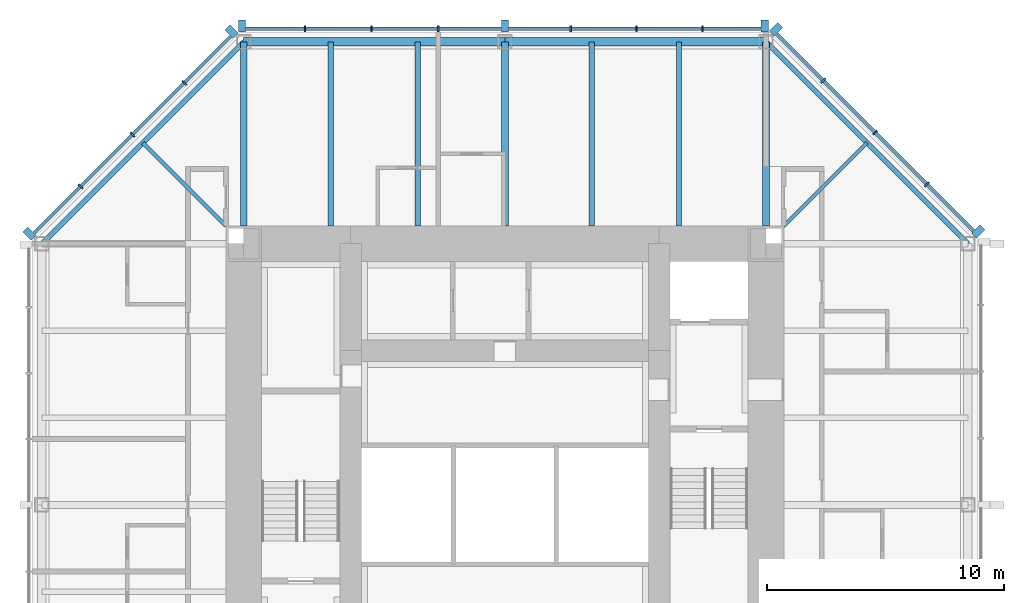
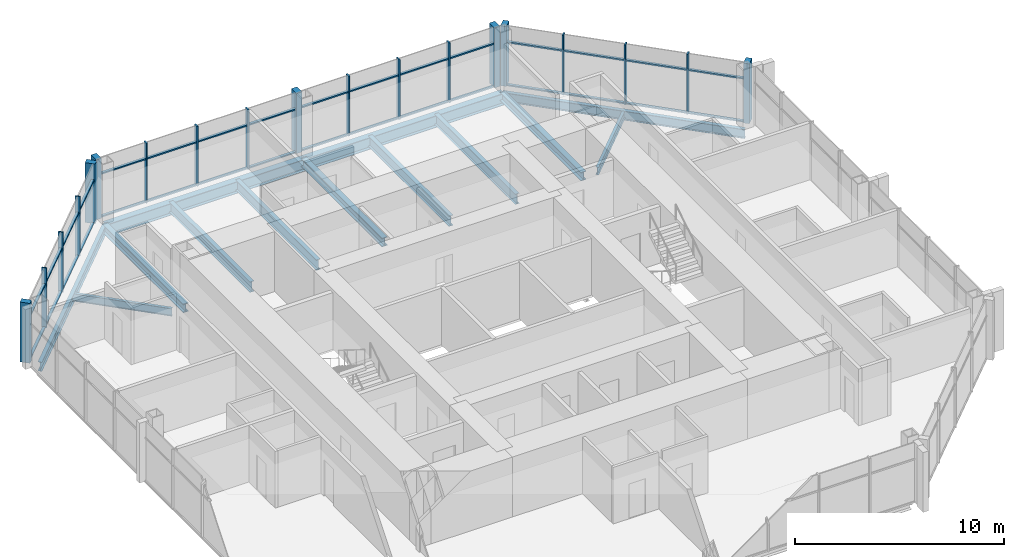
# One storey, part 5 of 11: 51 members, 13 beams, 3 elements without a shape of their own.
"""IFC4 building model written with IfcOpenShell, lengths in metres."""

from ifc_helpers import new_model, si_unit, direction, frame, origin, origin_2d, place, context, subcontext, project, spatial, rectangle, i_section, extrude, material, material_profile, profile_set, type_object, element, aggregate, save


model = new_model("IFC4")

# Units and contexts
model_context = context("Model", 3, precision=1e-05, world=origin(), true_north=direction((0.0, 1.0)))
body_context = subcontext(model_context, "Body", "Model", "MODEL_VIEW")
ifc_project = project(units=[si_unit("LENGTHUNIT", "METRE"), si_unit("AREAUNIT", "SQUARE_METRE"), si_unit("VOLUMEUNIT", "CUBIC_METRE"), si_unit("PLANEANGLEUNIT", "RADIAN"), si_unit("MASSUNIT", "GRAM", prefix="KILO")], contexts=[model_context])

# Site, building, storey
site_placement = place(None, origin())
site = spatial("IfcSite", under=ifc_project, at=site_placement, CompositionType="ELEMENT")
building_placement = place(site_placement, origin())
building = spatial("IfcBuilding", under=site, at=building_placement, Name="Trevanion Tower", CompositionType="ELEMENT")
storey_placement = place(building_placement, frame((0.0, 0.0, 236.199951171875)))
storey = spatial("IfcBuildingStorey", under=building, at=storey_placement, Name="L57", CompositionType="ELEMENT", Elevation=236.199951171875)

# Beams
ifc_material_1 = material(Name="Steel ASTM A992 Grade 50", Category="steel")
ifc_material_profile_1 = material_profile(ifc_material_1, i_section(OverallWidth=0.228271484375, OverallDepth=0.607177734375, WebThickness=0.01123046875, FlangeThickness=0.017333984375, at=origin_2d()), Name="W24X76")
ifc_profile_set_1 = profile_set([ifc_material_profile_1], Name="Steel ASTM A992 Grade 50")
beam_type_1 = type_object("IfcBeamType", Name="B11 W24X76", PredefinedType="BEAM", material=ifc_profile_set_1)
for number, where, z_axis, x_axis, name in (
    (1, (7.333251953125, 11.75, -0.493408203125), (0.0, 1.0, 0.0), (-1.0, 0.0, 0.0), "B11 L57"),
    (2, (3.666748046875, 11.75, -0.493408203125), (0.0, 1.0, 0.0), (-1.0, 0.0, 0.0), "B11 L57"),
    (3, (-3.666748046875, 11.75, -0.493408203125), (0.0, 1.0, 0.0), (-1.0, 0.0, 0.0), "B11 L57"),
    (4, (-7.333251953125, 11.75, -0.493408203125), (0.0, 1.0, 0.0), (-1.0, 0.0, 0.0), "B11 L57"),
):
    element("IfcBeam", number, at=place(storey_placement, frame(where, z_axis=z_axis, x_axis=x_axis)), inside=storey, type_object=beam_type_1, Name=name, PredefinedType="BEAM", context=body_context, shape_type="SweptSolid", body=[
        extrude(i_section(OverallWidth=0.228271484375, OverallDepth=0.607177734375, WebThickness=0.01123046875, FlangeThickness=0.017333984375, at=origin_2d()), origin(), (0.0, 0.0, 1.0), 7.75),
    ])
ifc_material_2 = material(Name="Steel ASTM A992 Grade 50", Category="steel")
ifc_material_profile_2 = material_profile(ifc_material_2, i_section(OverallWidth=0.15234375, OverallDepth=0.449462890625, WebThickness=0.007568359375, FlangeThickness=0.0107421875, at=origin_2d()), Name="W18X35")
ifc_profile_set_2 = profile_set([ifc_material_profile_2], Name="Steel ASTM A992 Grade 50")
beam_type_2 = type_object("IfcBeamType", Name="B12 W18X35", PredefinedType="BEAM", material=ifc_profile_set_2)
for number, where, z_axis, x_axis, name in (
    (5, (11.75, 11.75, -0.414794921875), (0.707106781187, 0.707106781187, 0.0), (-0.707106781187, 0.707106781187, 0.0), "B12 L57"),
    (6, (-11.75, 11.75, -0.414794921875), (-0.707106781187, 0.707106781187, 0.0), (-0.707106781187, -0.707106781187, 0.0), "B12 L57"),
):
    element("IfcBeam", number, at=place(storey_placement, frame(where, z_axis=z_axis, x_axis=x_axis)), inside=storey, type_object=beam_type_2, Name=name, PredefinedType="BEAM", context=body_context, shape_type="SweptSolid", body=[
        extrude(i_section(OverallWidth=0.15234375, OverallDepth=0.449462890625, WebThickness=0.007568359375, FlangeThickness=0.0107421875, at=origin_2d()), origin(), (0.0, 0.0, 1.0), 4.94970703125),
    ])

# Curtain wall, members
ifc_material_3 = material(Name="Aluminium and glass", Category="aluminium")
curtain_wall_type = type_object("IfcCurtainWallType", Name="CW3 curtain wall", PredefinedType="USERDEFINED", material=ifc_material_3)
curtain_wall_1_placement = place(storey_placement, origin())
curtain_wall_1 = element("IfcCurtainWall", 7, at=curtain_wall_1_placement, inside=storey, type_object=curtain_wall_type, Name="CW3 L57 1", ObjectType="UNITISED CURTAIN WALL", PredefinedType="USERDEFINED")
ifc_material_4 = material(Name="Aluminium extrusion, anodised bronze", Category="aluminium")
ifc_material_profile_3 = material_profile(ifc_material_4, rectangle(XDim=0.074951171875, YDim=0.25, at=origin_2d()), Name="CW3 mullion")
ifc_profile_set_3 = profile_set([ifc_material_profile_3], Name="Aluminium extrusion, anodised bronze")
member_type_1 = type_object("IfcMemberType", Name="CW3 mullion", PredefinedType="MULLION", material=ifc_profile_set_3)
member_1_placement = place(storey_placement, frame((17.775390625, 13.502197265625, -0.18994140625), z_axis=(0.0, 0.0, 1.0), x_axis=(-0.707106781187, 0.707106781187, 0.0)))
member_1 = element("IfcMember", 8, at=member_1_placement, type_object=member_type_1, Name="CW3 mullion 2", PredefinedType="MULLION", context=body_context, shape_type="SweptSolid", body=[
    extrude(rectangle(XDim=0.074951171875, YDim=0.25, at=origin_2d()), origin(), (0.0, 0.0, 1.0), 3.5),
])
member_2_placement = place(storey_placement, frame((15.593017578125, 15.684814453125, -0.18994140625), z_axis=(0.0, 0.0, 1.0), x_axis=(-0.707106781187, 0.707106781187, 0.0)))
member_2 = element("IfcMember", 9, at=member_2_placement, type_object=member_type_1, Name="CW3 mullion 3", PredefinedType="MULLION", context=body_context, shape_type="SweptSolid", body=[
    extrude(rectangle(XDim=0.074951171875, YDim=0.25, at=origin_2d()), origin(), (0.0, 0.0, 1.0), 3.5),
])
member_3_placement = place(storey_placement, frame((13.410400390625, 17.867431640625, -0.18994140625), z_axis=(0.0, 0.0, 1.0), x_axis=(-0.707106781187, 0.707106781187, 0.0)))
member_3 = element("IfcMember", 10, at=member_3_placement, type_object=member_type_1, Name="CW3 mullion 4", PredefinedType="MULLION", context=body_context, shape_type="SweptSolid", body=[
    extrude(rectangle(XDim=0.074951171875, YDim=0.25, at=origin_2d()), origin(), (0.0, 0.0, 1.0), 3.5),
])

curtain_wall_2_placement = place(storey_placement, origin())
curtain_wall_2 = element("IfcCurtainWall", 11, at=curtain_wall_2_placement, inside=storey, type_object=curtain_wall_type, Name="CW3 L57 2", ObjectType="UNITISED CURTAIN WALL", PredefinedType="USERDEFINED")
member_4_placement = place(storey_placement, frame((8.323486328125, 20.050048828125, -0.18994140625), z_axis=(0.0, 0.0, 1.0), x_axis=(-1.0, 0.0, 0.0)))
member_4 = element("IfcMember", 12, at=member_4_placement, type_object=member_type_1, Name="CW3 mullion 2", PredefinedType="MULLION", context=body_context, shape_type="SweptSolid", body=[
    extrude(rectangle(XDim=0.074951171875, YDim=0.25, at=origin_2d()), origin(), (0.0, 0.0, 1.0), 3.5),
])
member_5_placement = place(storey_placement, frame((5.548828125, 20.050048828125, -0.18994140625), z_axis=(0.0, 0.0, 1.0), x_axis=(-1.0, 0.0, 0.0)))
member_5 = element("IfcMember", 13, at=member_5_placement, type_object=member_type_1, Name="CW3 mullion 3", PredefinedType="MULLION", context=body_context, shape_type="SweptSolid", body=[
    extrude(rectangle(XDim=0.074951171875, YDim=0.25, at=origin_2d()), origin(), (0.0, 0.0, 1.0), 3.5),
])
member_6_placement = place(storey_placement, frame((2.7744140625, 20.050048828125, -0.18994140625), z_axis=(0.0, 0.0, 1.0), x_axis=(-1.0, 0.0, 0.0)))
member_6 = element("IfcMember", 14, at=member_6_placement, type_object=member_type_1, Name="CW3 mullion 4", PredefinedType="MULLION", context=body_context, shape_type="SweptSolid", body=[
    extrude(rectangle(XDim=0.074951171875, YDim=0.25, at=origin_2d()), origin(), (0.0, 0.0, 1.0), 3.5),
])
member_7_placement = place(storey_placement, frame((-2.806884765625, 20.050048828125, -0.18994140625), z_axis=(0.0, 0.0, 1.0), x_axis=(-1.0, 0.0, 0.0)))
member_7 = element("IfcMember", 15, at=member_7_placement, type_object=member_type_1, Name="CW3 mullion 6", PredefinedType="MULLION", context=body_context, shape_type="SweptSolid", body=[
    extrude(rectangle(XDim=0.074951171875, YDim=0.25, at=origin_2d()), origin(), (0.0, 0.0, 1.0), 3.5),
])
member_8_placement = place(storey_placement, frame((-5.614013671875, 20.050048828125, -0.18994140625), z_axis=(0.0, 0.0, 1.0), x_axis=(-1.0, 0.0, 0.0)))
member_8 = element("IfcMember", 16, at=member_8_placement, type_object=member_type_1, Name="CW3 mullion 7", PredefinedType="MULLION", context=body_context, shape_type="SweptSolid", body=[
    extrude(rectangle(XDim=0.074951171875, YDim=0.25, at=origin_2d()), origin(), (0.0, 0.0, 1.0), 3.5),
])
member_9_placement = place(storey_placement, frame((-8.4208984375, 20.050048828125, -0.18994140625), z_axis=(0.0, 0.0, 1.0), x_axis=(-1.0, 0.0, 0.0)))
member_9 = element("IfcMember", 17, at=member_9_placement, type_object=member_type_1, Name="CW3 mullion 8", PredefinedType="MULLION", context=body_context, shape_type="SweptSolid", body=[
    extrude(rectangle(XDim=0.074951171875, YDim=0.25, at=origin_2d()), origin(), (0.0, 0.0, 1.0), 3.5),
])

curtain_wall_3_placement = place(storey_placement, origin())
curtain_wall_3 = element("IfcCurtainWall", 18, at=curtain_wall_3_placement, inside=storey, type_object=curtain_wall_type, Name="CW3 L57 3", ObjectType="UNITISED CURTAIN WALL", PredefinedType="USERDEFINED")
member_10_placement = place(storey_placement, frame((-13.502197265625, 17.775390625, -0.18994140625), z_axis=(0.0, 0.0, 1.0), x_axis=(-0.707106781187, -0.707106781187, 0.0)))
member_10 = element("IfcMember", 19, at=member_10_placement, type_object=member_type_1, Name="CW3 mullion 2", PredefinedType="MULLION", context=body_context, shape_type="SweptSolid", body=[
    extrude(rectangle(XDim=0.074951171875, YDim=0.25, at=origin_2d()), origin(), (0.0, 0.0, 1.0), 3.5),
])
member_11_placement = place(storey_placement, frame((-15.684814453125, 15.593017578125, -0.18994140625), z_axis=(0.0, 0.0, 1.0), x_axis=(-0.707106781187, -0.707106781187, 0.0)))
member_11 = element("IfcMember", 20, at=member_11_placement, type_object=member_type_1, Name="CW3 mullion 3", PredefinedType="MULLION", context=body_context, shape_type="SweptSolid", body=[
    extrude(rectangle(XDim=0.074951171875, YDim=0.25, at=origin_2d()), origin(), (0.0, 0.0, 1.0), 3.5),
])
member_12_placement = place(storey_placement, frame((-17.867431640625, 13.410400390625, -0.18994140625), z_axis=(0.0, 0.0, 1.0), x_axis=(-0.707106781187, -0.707106781187, 0.0)))
member_12 = element("IfcMember", 21, at=member_12_placement, type_object=member_type_1, Name="CW3 mullion 4", PredefinedType="MULLION", context=body_context, shape_type="SweptSolid", body=[
    extrude(rectangle(XDim=0.074951171875, YDim=0.25, at=origin_2d()), origin(), (0.0, 0.0, 1.0), 3.5),
])

# Member
ifc_material_5 = material(Name="Aluminium extrusion, anodised bronze", Category="aluminium")
ifc_material_profile_4 = material_profile(ifc_material_5, rectangle(XDim=0.300048828125, YDim=0.5, at=origin_2d()), Name="CW3 pier mullion")
ifc_profile_set_4 = profile_set([ifc_material_profile_4], Name="Aluminium extrusion, anodised bronze")
member_type_2 = type_object("IfcMemberType", Name="CW3 pier mullion", PredefinedType="MULLION", material=ifc_profile_set_4)
member_13_placement = place(storey_placement, frame((19.9404296875, 11.51416015625, -0.18994140625), z_axis=(0.0, 0.0, 1.0), x_axis=(-0.707106781187, 0.707106781187, 0.0)))
member_13 = element("IfcMember", 22, at=member_13_placement, type_object=member_type_2, Name="CW3 pier mullion 1", PredefinedType="MULLION", context=body_context, shape_type="SweptSolid", body=[
    extrude(rectangle(XDim=0.300048828125, YDim=0.5, at=origin_2d()), origin(), (0.0, 0.0, 1.0), 3.5),
])

member_14_placement = place(storey_placement, frame((11.42236328125, 20.0322265625, -0.18994140625), z_axis=(0.0, 0.0, 1.0), x_axis=(-0.707106781187, 0.707106781187, 0.0)))
member_14 = element("IfcMember", 23, at=member_14_placement, type_object=member_type_2, Name="CW3 pier mullion 5", PredefinedType="MULLION", context=body_context, shape_type="SweptSolid", body=[
    extrude(rectangle(XDim=0.300048828125, YDim=0.5, at=origin_2d()), origin(), (0.0, 0.0, 1.0), 3.5),
])

member_15_placement = place(storey_placement, frame((10.94775390625, 20.175048828125, -0.18994140625), z_axis=(0.0, 0.0, 1.0), x_axis=(-1.0, 0.0, 0.0)))
member_15 = element("IfcMember", 24, at=member_15_placement, type_object=member_type_2, Name="CW3 pier mullion 1", PredefinedType="MULLION", context=body_context, shape_type="SweptSolid", body=[
    extrude(rectangle(XDim=0.300048828125, YDim=0.5, at=origin_2d()), origin(), (0.0, 0.0, 1.0), 3.5),
])

member_16_placement = place(storey_placement, frame((0.0, 20.175048828125, -0.18994140625), z_axis=(0.0, 0.0, 1.0), x_axis=(-1.0, 0.0, 0.0)))
member_16 = element("IfcMember", 25, at=member_16_placement, type_object=member_type_2, Name="CW3 pier mullion 5", PredefinedType="MULLION", context=body_context, shape_type="SweptSolid", body=[
    extrude(rectangle(XDim=0.300048828125, YDim=0.5, at=origin_2d()), origin(), (0.0, 0.0, 1.0), 3.5),
])

member_17_placement = place(storey_placement, frame((-11.077880859375, 20.175048828125, -0.18994140625), z_axis=(0.0, 0.0, 1.0), x_axis=(-1.0, 0.0, 0.0)))
member_17 = element("IfcMember", 26, at=member_17_placement, type_object=member_type_2, Name="CW3 pier mullion 9", PredefinedType="MULLION", context=body_context, shape_type="SweptSolid", body=[
    extrude(rectangle(XDim=0.300048828125, YDim=0.5, at=origin_2d()), origin(), (0.0, 0.0, 1.0), 3.5),
])

member_18_placement = place(storey_placement, frame((-11.51416015625, 19.9404296875, -0.18994140625), z_axis=(0.0, 0.0, 1.0), x_axis=(-0.707106781187, -0.707106781187, 0.0)))
member_18 = element("IfcMember", 27, at=member_18_placement, type_object=member_type_2, Name="CW3 pier mullion 1", PredefinedType="MULLION", context=body_context, shape_type="SweptSolid", body=[
    extrude(rectangle(XDim=0.300048828125, YDim=0.5, at=origin_2d()), origin(), (0.0, 0.0, 1.0), 3.5),
])

member_19_placement = place(storey_placement, frame((-20.0322265625, 11.42236328125, -0.18994140625), z_axis=(0.0, 0.0, 1.0), x_axis=(-0.707106781187, -0.707106781187, 0.0)))
member_19 = element("IfcMember", 28, at=member_19_placement, type_object=member_type_2, Name="CW3 pier mullion 5", PredefinedType="MULLION", context=body_context, shape_type="SweptSolid", body=[
    extrude(rectangle(XDim=0.300048828125, YDim=0.5, at=origin_2d()), origin(), (0.0, 0.0, 1.0), 3.5),
])

ifc_material_6 = material(Name="Aluminium extrusion, anodised bronze", Category="aluminium")
ifc_material_profile_5 = material_profile(ifc_material_6, rectangle(XDim=0.14990234375, YDim=0.074951171875, at=origin_2d()), Name="CW3 transom")
ifc_profile_set_5 = profile_set([ifc_material_profile_5], Name="Aluminium extrusion, anodised bronze")
member_type_3 = type_object("IfcMemberType", Name="CW3 transom", PredefinedType="USERDEFINED", material=ifc_profile_set_5)
member_20_placement = place(storey_placement, frame((19.745849609375, 11.531982421875, -0.15234375), z_axis=(-0.707106781187, 0.707106781187, 0.0), x_axis=(-0.707106781187, -0.707106781187, 0.0)))
member_20 = element("IfcMember", 29, at=member_20_placement, type_object=member_type_3, Name="CW3 transom 1.1", ObjectType="TRANSOM", PredefinedType="USERDEFINED", context=body_context, shape_type="SweptSolid", body=[
    extrude(rectangle(XDim=0.14990234375, YDim=0.074951171875, at=origin_2d()), origin(), (0.0, 0.0, 1.0), 2.7490234375),
])

member_21_placement = place(storey_placement, frame((19.745849609375, 11.531982421875, 2.360107421875), z_axis=(-0.707106781187, 0.707106781187, 0.0), x_axis=(-0.707106781187, -0.707106781187, 0.0)))
member_21 = element("IfcMember", 30, at=member_21_placement, type_object=member_type_3, Name="CW3 transom 1.2", ObjectType="TRANSOM", PredefinedType="USERDEFINED", context=body_context, shape_type="SweptSolid", body=[
    extrude(rectangle(XDim=0.14990234375, YDim=0.074951171875, at=origin_2d()), origin(), (0.0, 0.0, 1.0), 2.7490234375),
])

member_22_placement = place(storey_placement, frame((17.7490234375, 13.52880859375, -0.15234375), z_axis=(-0.707106781187, 0.707106781187, 0.0), x_axis=(-0.707106781187, -0.707106781187, 0.0)))
member_22 = element("IfcMember", 31, at=member_22_placement, type_object=member_type_3, Name="CW3 transom 2.1", ObjectType="TRANSOM", PredefinedType="USERDEFINED", context=body_context, shape_type="SweptSolid", body=[
    extrude(rectangle(XDim=0.14990234375, YDim=0.074951171875, at=origin_2d()), origin(), (0.0, 0.0, 1.0), 3.01171875),
])

member_23_placement = place(storey_placement, frame((17.7490234375, 13.52880859375, 2.360107421875), z_axis=(-0.707106781187, 0.707106781187, 0.0), x_axis=(-0.707106781187, -0.707106781187, 0.0)))
member_23 = element("IfcMember", 32, at=member_23_placement, type_object=member_type_3, Name="CW3 transom 2.2", ObjectType="TRANSOM", PredefinedType="USERDEFINED", context=body_context, shape_type="SweptSolid", body=[
    extrude(rectangle(XDim=0.14990234375, YDim=0.074951171875, at=origin_2d()), origin(), (0.0, 0.0, 1.0), 3.01171875),
])

member_24_placement = place(storey_placement, frame((15.56640625, 15.71142578125, -0.15234375), z_axis=(-0.707106781187, 0.707106781187, 0.0), x_axis=(-0.707106781187, -0.707106781187, 0.0)))
member_24 = element("IfcMember", 33, at=member_24_placement, type_object=member_type_3, Name="CW3 transom 3.1", ObjectType="TRANSOM", PredefinedType="USERDEFINED", context=body_context, shape_type="SweptSolid", body=[
    extrude(rectangle(XDim=0.14990234375, YDim=0.074951171875, at=origin_2d()), origin(), (0.0, 0.0, 1.0), 3.011474609375),
])

member_25_placement = place(storey_placement, frame((15.56640625, 15.71142578125, 2.360107421875), z_axis=(-0.707106781187, 0.707106781187, 0.0), x_axis=(-0.707106781187, -0.707106781187, 0.0)))
member_25 = element("IfcMember", 34, at=member_25_placement, type_object=member_type_3, Name="CW3 transom 3.2", ObjectType="TRANSOM", PredefinedType="USERDEFINED", context=body_context, shape_type="SweptSolid", body=[
    extrude(rectangle(XDim=0.14990234375, YDim=0.074951171875, at=origin_2d()), origin(), (0.0, 0.0, 1.0), 3.011474609375),
])

member_26_placement = place(storey_placement, frame((13.3837890625, 17.89404296875, -0.15234375), z_axis=(-0.707106781187, 0.707106781187, 0.0), x_axis=(-0.707106781187, -0.707106781187, 0.0)))
member_26 = element("IfcMember", 35, at=member_26_placement, type_object=member_type_3, Name="CW3 transom 4.1", ObjectType="TRANSOM", PredefinedType="USERDEFINED", context=body_context, shape_type="SweptSolid", body=[
    extrude(rectangle(XDim=0.14990234375, YDim=0.074951171875, at=origin_2d()), origin(), (0.0, 0.0, 1.0), 2.7490234375),
])

member_27_placement = place(storey_placement, frame((13.3837890625, 17.89404296875, 2.360107421875), z_axis=(-0.707106781187, 0.707106781187, 0.0), x_axis=(-0.707106781187, -0.707106781187, 0.0)))
member_27 = element("IfcMember", 36, at=member_27_placement, type_object=member_type_3, Name="CW3 transom 4.2", ObjectType="TRANSOM", PredefinedType="USERDEFINED", context=body_context, shape_type="SweptSolid", body=[
    extrude(rectangle(XDim=0.14990234375, YDim=0.074951171875, at=origin_2d()), origin(), (0.0, 0.0, 1.0), 2.7490234375),
])

aggregate(curtain_wall_1, [member_13, member_1, member_2, member_3, member_14, member_20, member_21, member_22, member_23, member_24, member_25, member_26, member_27])

member_28_placement = place(storey_placement, frame((10.7978515625, 20.050048828125, -0.15234375), z_axis=(-1.0, 0.0, 0.0), x_axis=(0.0, -1.0, 0.0)))
member_28 = element("IfcMember", 37, at=member_28_placement, type_object=member_type_3, Name="CW3 transom 1.1", ObjectType="TRANSOM", PredefinedType="USERDEFINED", context=body_context, shape_type="SweptSolid", body=[
    extrude(rectangle(XDim=0.14990234375, YDim=0.074951171875, at=origin_2d()), origin(), (0.0, 0.0, 1.0), 2.43701171875),
])

member_29_placement = place(storey_placement, frame((10.7978515625, 20.050048828125, 2.360107421875), z_axis=(-1.0, 0.0, 0.0), x_axis=(0.0, -1.0, 0.0)))
member_29 = element("IfcMember", 38, at=member_29_placement, type_object=member_type_3, Name="CW3 transom 1.2", ObjectType="TRANSOM", PredefinedType="USERDEFINED", context=body_context, shape_type="SweptSolid", body=[
    extrude(rectangle(XDim=0.14990234375, YDim=0.074951171875, at=origin_2d()), origin(), (0.0, 0.0, 1.0), 2.43701171875),
])

member_30_placement = place(storey_placement, frame((8.285888671875, 20.050048828125, -0.15234375), z_axis=(-1.0, 0.0, 0.0), x_axis=(0.0, -1.0, 0.0)))
member_30 = element("IfcMember", 39, at=member_30_placement, type_object=member_type_3, Name="CW3 transom 2.1", ObjectType="TRANSOM", PredefinedType="USERDEFINED", context=body_context, shape_type="SweptSolid", body=[
    extrude(rectangle(XDim=0.14990234375, YDim=0.074951171875, at=origin_2d()), origin(), (0.0, 0.0, 1.0), 2.699462890625),
])

member_31_placement = place(storey_placement, frame((8.285888671875, 20.050048828125, 2.360107421875), z_axis=(-1.0, 0.0, 0.0), x_axis=(0.0, -1.0, 0.0)))
member_31 = element("IfcMember", 40, at=member_31_placement, type_object=member_type_3, Name="CW3 transom 2.2", ObjectType="TRANSOM", PredefinedType="USERDEFINED", context=body_context, shape_type="SweptSolid", body=[
    extrude(rectangle(XDim=0.14990234375, YDim=0.074951171875, at=origin_2d()), origin(), (0.0, 0.0, 1.0), 2.699462890625),
])

member_32_placement = place(storey_placement, frame((5.511474609375, 20.050048828125, -0.15234375), z_axis=(-1.0, 0.0, 0.0), x_axis=(0.0, -1.0, 0.0)))
member_32 = element("IfcMember", 41, at=member_32_placement, type_object=member_type_3, Name="CW3 transom 3.1", ObjectType="TRANSOM", PredefinedType="USERDEFINED", context=body_context, shape_type="SweptSolid", body=[
    extrude(rectangle(XDim=0.14990234375, YDim=0.074951171875, at=origin_2d()), origin(), (0.0, 0.0, 1.0), 2.699462890625),
])

member_33_placement = place(storey_placement, frame((5.511474609375, 20.050048828125, 2.360107421875), z_axis=(-1.0, 0.0, 0.0), x_axis=(0.0, -1.0, 0.0)))
member_33 = element("IfcMember", 42, at=member_33_placement, type_object=member_type_3, Name="CW3 transom 3.2", ObjectType="TRANSOM", PredefinedType="USERDEFINED", context=body_context, shape_type="SweptSolid", body=[
    extrude(rectangle(XDim=0.14990234375, YDim=0.074951171875, at=origin_2d()), origin(), (0.0, 0.0, 1.0), 2.699462890625),
])

member_34_placement = place(storey_placement, frame((2.737060546875, 20.050048828125, -0.15234375), z_axis=(-1.0, 0.0, 0.0), x_axis=(0.0, -1.0, 0.0)))
member_34 = element("IfcMember", 43, at=member_34_placement, type_object=member_type_3, Name="CW3 transom 4.1", ObjectType="TRANSOM", PredefinedType="USERDEFINED", context=body_context, shape_type="SweptSolid", body=[
    extrude(rectangle(XDim=0.14990234375, YDim=0.074951171875, at=origin_2d()), origin(), (0.0, 0.0, 1.0), 2.587158203125),
])

member_35_placement = place(storey_placement, frame((2.737060546875, 20.050048828125, 2.360107421875), z_axis=(-1.0, 0.0, 0.0), x_axis=(0.0, -1.0, 0.0)))
member_35 = element("IfcMember", 44, at=member_35_placement, type_object=member_type_3, Name="CW3 transom 4.2", ObjectType="TRANSOM", PredefinedType="USERDEFINED", context=body_context, shape_type="SweptSolid", body=[
    extrude(rectangle(XDim=0.14990234375, YDim=0.074951171875, at=origin_2d()), origin(), (0.0, 0.0, 1.0), 2.587158203125),
])

member_36_placement = place(storey_placement, frame((-0.14990234375, 20.050048828125, -0.15234375), z_axis=(-1.0, 0.0, 0.0), x_axis=(0.0, -1.0, 0.0)))
member_36 = element("IfcMember", 45, at=member_36_placement, type_object=member_type_3, Name="CW3 transom 5.1", ObjectType="TRANSOM", PredefinedType="USERDEFINED", context=body_context, shape_type="SweptSolid", body=[
    extrude(rectangle(XDim=0.14990234375, YDim=0.074951171875, at=origin_2d()), origin(), (0.0, 0.0, 1.0), 2.619384765625),
])

member_37_placement = place(storey_placement, frame((-0.14990234375, 20.050048828125, 2.360107421875), z_axis=(-1.0, 0.0, 0.0), x_axis=(0.0, -1.0, 0.0)))
member_37 = element("IfcMember", 46, at=member_37_placement, type_object=member_type_3, Name="CW3 transom 5.2", ObjectType="TRANSOM", PredefinedType="USERDEFINED", context=body_context, shape_type="SweptSolid", body=[
    extrude(rectangle(XDim=0.14990234375, YDim=0.074951171875, at=origin_2d()), origin(), (0.0, 0.0, 1.0), 2.619384765625),
])

member_38_placement = place(storey_placement, frame((-2.844482421875, 20.050048828125, -0.15234375), z_axis=(-1.0, 0.0, 0.0), x_axis=(0.0, -1.0, 0.0)))
member_38 = element("IfcMember", 47, at=member_38_placement, type_object=member_type_3, Name="CW3 transom 6.1", ObjectType="TRANSOM", PredefinedType="USERDEFINED", context=body_context, shape_type="SweptSolid", body=[
    extrude(rectangle(XDim=0.14990234375, YDim=0.074951171875, at=origin_2d()), origin(), (0.0, 0.0, 1.0), 2.73193359375),
])

member_39_placement = place(storey_placement, frame((-2.844482421875, 20.050048828125, 2.360107421875), z_axis=(-1.0, 0.0, 0.0), x_axis=(0.0, -1.0, 0.0)))
member_39 = element("IfcMember", 48, at=member_39_placement, type_object=member_type_3, Name="CW3 transom 6.2", ObjectType="TRANSOM", PredefinedType="USERDEFINED", context=body_context, shape_type="SweptSolid", body=[
    extrude(rectangle(XDim=0.14990234375, YDim=0.074951171875, at=origin_2d()), origin(), (0.0, 0.0, 1.0), 2.73193359375),
])

member_40_placement = place(storey_placement, frame((-5.6513671875, 20.050048828125, -0.15234375), z_axis=(-1.0, 0.0, 0.0), x_axis=(0.0, -1.0, 0.0)))
member_40 = element("IfcMember", 49, at=member_40_placement, type_object=member_type_3, Name="CW3 transom 7.1", ObjectType="TRANSOM", PredefinedType="USERDEFINED", context=body_context, shape_type="SweptSolid", body=[
    extrude(rectangle(XDim=0.14990234375, YDim=0.074951171875, at=origin_2d()), origin(), (0.0, 0.0, 1.0), 2.73193359375),
])

member_41_placement = place(storey_placement, frame((-5.6513671875, 20.050048828125, 2.360107421875), z_axis=(-1.0, 0.0, 0.0), x_axis=(0.0, -1.0, 0.0)))
member_41 = element("IfcMember", 50, at=member_41_placement, type_object=member_type_3, Name="CW3 transom 7.2", ObjectType="TRANSOM", PredefinedType="USERDEFINED", context=body_context, shape_type="SweptSolid", body=[
    extrude(rectangle(XDim=0.14990234375, YDim=0.074951171875, at=origin_2d()), origin(), (0.0, 0.0, 1.0), 2.73193359375),
])

member_42_placement = place(storey_placement, frame((-8.45849609375, 20.050048828125, -0.15234375), z_axis=(-1.0, 0.0, 0.0), x_axis=(0.0, -1.0, 0.0)))
member_42 = element("IfcMember", 51, at=member_42_placement, type_object=member_type_3, Name="CW3 transom 8.1", ObjectType="TRANSOM", PredefinedType="USERDEFINED", context=body_context, shape_type="SweptSolid", body=[
    extrude(rectangle(XDim=0.14990234375, YDim=0.074951171875, at=origin_2d()), origin(), (0.0, 0.0, 1.0), 2.46923828125),
])

member_43_placement = place(storey_placement, frame((-8.45849609375, 20.050048828125, 2.360107421875), z_axis=(-1.0, 0.0, 0.0), x_axis=(0.0, -1.0, 0.0)))
member_43 = element("IfcMember", 52, at=member_43_placement, type_object=member_type_3, Name="CW3 transom 8.2", ObjectType="TRANSOM", PredefinedType="USERDEFINED", context=body_context, shape_type="SweptSolid", body=[
    extrude(rectangle(XDim=0.14990234375, YDim=0.074951171875, at=origin_2d()), origin(), (0.0, 0.0, 1.0), 2.46923828125),
])

aggregate(curtain_wall_2, [member_15, member_4, member_5, member_6, member_16, member_7, member_8, member_9, member_17, member_28, member_29, member_30, member_31, member_32, member_33, member_34, member_35, member_36, member_37, member_38, member_39, member_40, member_41, member_42, member_43])

member_44_placement = place(storey_placement, frame((-11.531982421875, 19.745849609375, -0.15234375), z_axis=(-0.707106781187, -0.707106781187, 0.0), x_axis=(0.707106781187, -0.707106781187, 0.0)))
member_44 = element("IfcMember", 53, at=member_44_placement, type_object=member_type_3, Name="CW3 transom 1.1", ObjectType="TRANSOM", PredefinedType="USERDEFINED", context=body_context, shape_type="SweptSolid", body=[
    extrude(rectangle(XDim=0.14990234375, YDim=0.074951171875, at=origin_2d()), origin(), (0.0, 0.0, 1.0), 2.7490234375),
])

member_45_placement = place(storey_placement, frame((-11.531982421875, 19.745849609375, 2.360107421875), z_axis=(-0.707106781187, -0.707106781187, 0.0), x_axis=(0.707106781187, -0.707106781187, 0.0)))
member_45 = element("IfcMember", 54, at=member_45_placement, type_object=member_type_3, Name="CW3 transom 1.2", ObjectType="TRANSOM", PredefinedType="USERDEFINED", context=body_context, shape_type="SweptSolid", body=[
    extrude(rectangle(XDim=0.14990234375, YDim=0.074951171875, at=origin_2d()), origin(), (0.0, 0.0, 1.0), 2.7490234375),
])

member_46_placement = place(storey_placement, frame((-13.52880859375, 17.7490234375, -0.15234375), z_axis=(-0.707106781187, -0.707106781187, 0.0), x_axis=(0.707106781187, -0.707106781187, 0.0)))
member_46 = element("IfcMember", 55, at=member_46_placement, type_object=member_type_3, Name="CW3 transom 2.1", ObjectType="TRANSOM", PredefinedType="USERDEFINED", context=body_context, shape_type="SweptSolid", body=[
    extrude(rectangle(XDim=0.14990234375, YDim=0.074951171875, at=origin_2d()), origin(), (0.0, 0.0, 1.0), 3.01171875),
])

member_47_placement = place(storey_placement, frame((-13.52880859375, 17.7490234375, 2.360107421875), z_axis=(-0.707106781187, -0.707106781187, 0.0), x_axis=(0.707106781187, -0.707106781187, 0.0)))
member_47 = element("IfcMember", 56, at=member_47_placement, type_object=member_type_3, Name="CW3 transom 2.2", ObjectType="TRANSOM", PredefinedType="USERDEFINED", context=body_context, shape_type="SweptSolid", body=[
    extrude(rectangle(XDim=0.14990234375, YDim=0.074951171875, at=origin_2d()), origin(), (0.0, 0.0, 1.0), 3.01171875),
])

member_48_placement = place(storey_placement, frame((-15.71142578125, 15.56640625, -0.15234375), z_axis=(-0.707106781187, -0.707106781187, 0.0), x_axis=(0.707106781187, -0.707106781187, 0.0)))
member_48 = element("IfcMember", 57, at=member_48_placement, type_object=member_type_3, Name="CW3 transom 3.1", ObjectType="TRANSOM", PredefinedType="USERDEFINED", context=body_context, shape_type="SweptSolid", body=[
    extrude(rectangle(XDim=0.14990234375, YDim=0.074951171875, at=origin_2d()), origin(), (0.0, 0.0, 1.0), 3.011474609375),
])

member_49_placement = place(storey_placement, frame((-15.71142578125, 15.56640625, 2.360107421875), z_axis=(-0.707106781187, -0.707106781187, 0.0), x_axis=(0.707106781187, -0.707106781187, 0.0)))
member_49 = element("IfcMember", 58, at=member_49_placement, type_object=member_type_3, Name="CW3 transom 3.2", ObjectType="TRANSOM", PredefinedType="USERDEFINED", context=body_context, shape_type="SweptSolid", body=[
    extrude(rectangle(XDim=0.14990234375, YDim=0.074951171875, at=origin_2d()), origin(), (0.0, 0.0, 1.0), 3.011474609375),
])

member_50_placement = place(storey_placement, frame((-17.89404296875, 13.3837890625, -0.15234375), z_axis=(-0.707106781187, -0.707106781187, 0.0), x_axis=(0.707106781187, -0.707106781187, 0.0)))
member_50 = element("IfcMember", 59, at=member_50_placement, type_object=member_type_3, Name="CW3 transom 4.1", ObjectType="TRANSOM", PredefinedType="USERDEFINED", context=body_context, shape_type="SweptSolid", body=[
    extrude(rectangle(XDim=0.14990234375, YDim=0.074951171875, at=origin_2d()), origin(), (0.0, 0.0, 1.0), 2.7490234375),
])

member_51_placement = place(storey_placement, frame((-17.89404296875, 13.3837890625, 2.360107421875), z_axis=(-0.707106781187, -0.707106781187, 0.0), x_axis=(0.707106781187, -0.707106781187, 0.0)))
member_51 = element("IfcMember", 60, at=member_51_placement, type_object=member_type_3, Name="CW3 transom 4.2", ObjectType="TRANSOM", PredefinedType="USERDEFINED", context=body_context, shape_type="SweptSolid", body=[
    extrude(rectangle(XDim=0.14990234375, YDim=0.074951171875, at=origin_2d()), origin(), (0.0, 0.0, 1.0), 2.7490234375),
])

aggregate(curtain_wall_3, [member_18, member_10, member_11, member_12, member_19, member_44, member_45, member_46, member_47, member_48, member_49, member_50, member_51])

# Beams
ifc_material_7 = material(Name="Steel ASTM A992 Grade 50", Category="steel")
ifc_material_profile_6 = material_profile(ifc_material_7, i_section(OverallWidth=0.28955078125, OverallDepth=0.508056640625, WebThickness=0.022705078125, FlangeThickness=0.040283203125, at=origin_2d()), Name="W18X175")
ifc_profile_set_6 = profile_set([ifc_material_profile_6], Name="Steel ASTM A992 Grade 50")
beam_type_3 = type_object("IfcBeamType", Name="G6 W18X175", PredefinedType="BEAM", material=ifc_profile_set_6)
for number, where, z_axis, x_axis, name in (
    (61, (11.0, 11.75, -0.44384765625), (0.0, 1.0, 0.0), (-1.0, 0.0, 0.0), "G6 L57"),
    (62, (0.0, 11.75, -0.44384765625), (0.0, 1.0, 0.0), (-1.0, 0.0, 0.0), "G6 L57"),
    (63, (-11.0, 11.75, -0.44384765625), (0.0, 1.0, 0.0), (-1.0, 0.0, 0.0), "G6 L57"),
):
    element("IfcBeam", number, at=place(storey_placement, frame(where, z_axis=z_axis, x_axis=x_axis)), inside=storey, type_object=beam_type_3, Name=name, PredefinedType="BEAM", context=body_context, shape_type="SweptSolid", body=[
        extrude(i_section(OverallWidth=0.28955078125, OverallDepth=0.508056640625, WebThickness=0.022705078125, FlangeThickness=0.040283203125, at=origin_2d()), origin(), (0.0, 0.0, 1.0), 7.75),
    ])
ifc_material_8 = material(Name="Steel ASTM A992 Grade 50", Category="steel")
ifc_material_profile_7 = material_profile(ifc_material_8, i_section(OverallWidth=0.355712890625, OverallDepth=0.696044921875, WebThickness=0.015380859375, FlangeThickness=0.024658203125, at=origin_2d()), Name="W27X146")
ifc_profile_set_7 = profile_set([ifc_material_profile_7], Name="Steel ASTM A992 Grade 50")
beam_type_4 = type_object("IfcBeamType", Name="SB8 W27X146", PredefinedType="SPANDREL", material=ifc_profile_set_7)
for number, where, z_axis, x_axis, name in (
    (64, (11.0, 19.5, -0.537841796875), (-1.0, 0.0, 0.0), (0.0, -1.0, 0.0), "SB8 L57"),
    (65, (0.0, 19.5, -0.537841796875), (-1.0, 0.0, 0.0), (0.0, -1.0, 0.0), "SB8 L57"),
):
    element("IfcBeam", number, at=place(storey_placement, frame(where, z_axis=z_axis, x_axis=x_axis)), inside=storey, type_object=beam_type_4, Name=name, PredefinedType="SPANDREL", context=body_context, shape_type="SweptSolid", body=[
        extrude(i_section(OverallWidth=0.355712890625, OverallDepth=0.696044921875, WebThickness=0.015380859375, FlangeThickness=0.024658203125, at=origin_2d()), origin(), (0.0, 0.0, 1.0), 11.0),
    ])
ifc_material_9 = material(Name="Steel ASTM A992 Grade 50", Category="steel")
ifc_material_profile_8 = material_profile(ifc_material_9, i_section(OverallWidth=0.209228515625, OverallDepth=0.533447265625, WebThickness=0.01025390625, FlangeThickness=0.015625, at=origin_2d()), Name="W21X62")
ifc_profile_set_8 = profile_set([ifc_material_profile_8], Name="Steel ASTM A992 Grade 50")
beam_type_5 = type_object("IfcBeamType", Name="SB9 W21X62", PredefinedType="SPANDREL", material=ifc_profile_set_8)
for number, where, z_axis, x_axis, name in (
    (66, (19.5, 11.0, -0.45654296875), (-0.707106781187, 0.707106781187, 0.0), (-0.707106781187, -0.707106781187, 0.0), "SB9 L57"),
    (67, (-11.0, 19.5, -0.45654296875), (-0.707106781187, -0.707106781187, 0.0), (0.707106781187, -0.707106781187, 0.0), "SB9 L57"),
):
    element("IfcBeam", number, at=place(storey_placement, frame(where, z_axis=z_axis, x_axis=x_axis)), inside=storey, type_object=beam_type_5, Name=name, PredefinedType="SPANDREL", context=body_context, shape_type="SweptSolid", body=[
        extrude(i_section(OverallWidth=0.209228515625, OverallDepth=0.533447265625, WebThickness=0.01025390625, FlangeThickness=0.015625, at=origin_2d()), origin(), (0.0, 0.0, 1.0), 12.020751953125),
    ])

save(model, "model.ifc")
